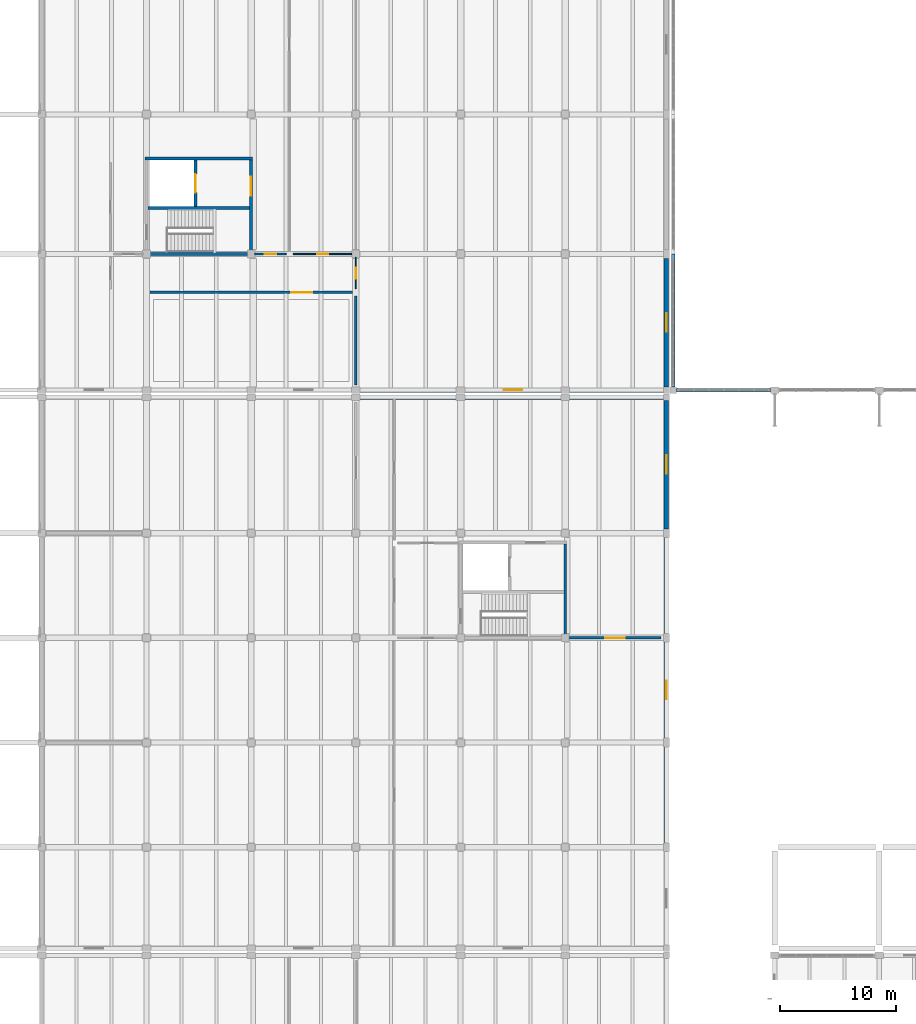
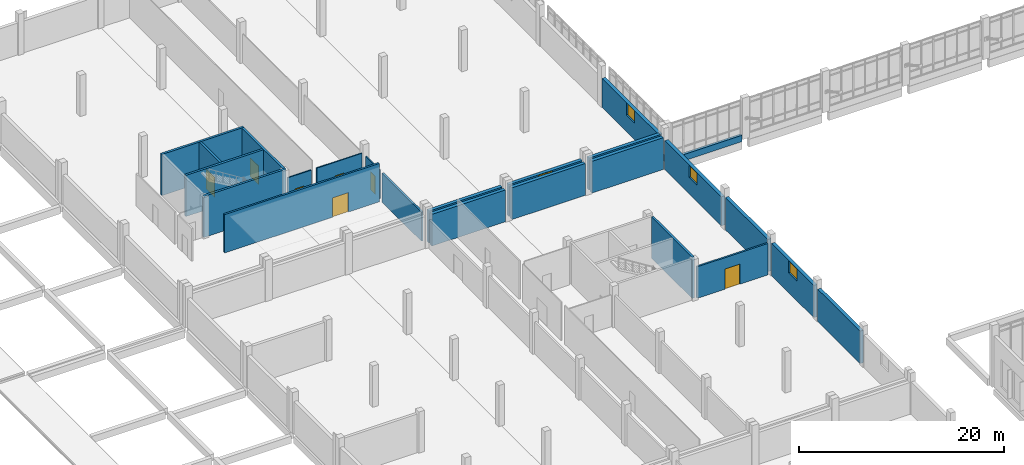
# One storey, part 81 of 110: 25 walls, 7 doors, 4 windows, 11 openings.
"""IFC4 building model written with IfcOpenShell, lengths in metres."""

from ifc_helpers import new_model, si_unit, direction, frame, frame_2d, origin, place, context, subcontext, project, spatial, rectangle, extrude, material, layer, layer_set, type_object, element, fill, save


model = new_model("IFC4")

# Units and contexts
model_context = context("Model", 3, precision=1e-05, world=origin(), true_north=direction((0.0, 1.0)))
body_context = subcontext(model_context, "Body", "Model", "MODEL_VIEW")
ifc_project = project(units=[si_unit("LENGTHUNIT", "METRE"), si_unit("AREAUNIT", "SQUARE_METRE"), si_unit("VOLUMEUNIT", "CUBIC_METRE"), si_unit("PLANEANGLEUNIT", "RADIAN"), si_unit("MASSUNIT", "GRAM", prefix="KILO")], contexts=[model_context])

# Site, building, storey
site_placement = place(None, origin())
site = spatial("IfcSite", under=ifc_project, at=site_placement, CompositionType="ELEMENT")
building_placement = place(site_placement, origin())
building = spatial("IfcBuilding", under=site, at=building_placement, Name="Zacnel Wholesale Market", CompositionType="ELEMENT")
storey_placement = place(building_placement, frame((0.0, 0.0, 6.300048828125)))
storey = spatial("IfcBuildingStorey", under=building, at=storey_placement, Name="L02", CompositionType="ELEMENT", Elevation=6.300048828125)

# Wall, opening, door
ifc_material_1 = material(Name="PIR insulated cold-store panel")
ifc_layer_1 = layer(ifc_material_1, 0.195068359375)
ifc_layer_set_1 = layer_set([ifc_layer_1], Name="PIR insulated cold-store panel")
wall_type_1 = type_object("IfcWallType", Name="WL-COLD-INT195", PredefinedType="STANDARD", material=ifc_layer_set_1)
wall_1_placement = place(storey_placement, frame((63.300048828125, 75.0, 0.0), z_axis=(0.0, 0.0, 1.0), x_axis=(1.0, 0.0, 0.0)))
wall_1 = element("IfcWall", 1, at=wall_1_placement, inside=storey, type_object=wall_type_1, Name="Interior partition L02-0074", PredefinedType="STANDARD", context=body_context, shape_type="SweptSolid", body=[
    extrude(rectangle(XDim=7.949951171875, YDim=0.195068359375, at=frame_2d((3.97509765625, 0.0))), origin(), (0.0, 0.0, 1.0), 3.75),
])
opening_1_placement = place(wall_1_placement, frame((3.125, 0.0, 0.0)))
opening_1 = element("IfcOpeningElement", 2, at=opening_1_placement, cuts=wall_1, Name="Opening CD-02", PredefinedType="OPENING", context=body_context, shape_type="SweptSolid", body=[
    extrude(rectangle(XDim=1.699951171875, YDim=2.39990234375, at=frame_2d((0.85009765625, 1.199951171875))), frame((0.0, 0.107421875, 0.0), z_axis=(0.0, -1.0, 0.0), x_axis=(1.0, 0.0, 0.0)), (0.0, 0.0, 1.0), 0.215087890625),
])
ifc_material_2 = material(Name="Galvanized steel", Category="steel")
door_type_1 = type_object("IfcDoorType", Name="DR-COLD-SLIDE-1700", OperationType="NOTDEFINED", PredefinedType="DOOR", material=ifc_material_2)
door_1_placement = place(opening_1_placement, origin())
door_1 = element("IfcDoor", 3, at=door_1_placement, inside=storey, type_object=door_type_1, Name="Interior door L02-0058", OperationType="SLIDING_TO_LEFT", OverallHeight=2.39990234375, OverallWidth=1.699951171875, PredefinedType="DOOR", context=body_context, shape_type="SweptSolid", body=[
    extrude(rectangle(XDim=1.699951171875, YDim=2.39990234375, at=frame_2d((0.85009765625, 1.199951171875))), frame((0.0, 0.02490234375, 0.0), z_axis=(0.0, -1.0, 0.0), x_axis=(1.0, 0.0, 0.0)), (0.0, 0.0, 1.0), 0.050048828125),
])
fill(opening_1, door_1)

ifc_material_3 = material(Name="PIR insulated cold-store panel")
ifc_layer_2 = layer(ifc_material_3, 0.2099609375)
ifc_layer_set_2 = layer_set([ifc_layer_2], Name="PIR insulated cold-store panel")
wall_type_2 = type_object("IfcWallType", Name="WL-COLD-INT210", PredefinedType="STANDARD", material=ifc_layer_set_2)
wall_2_placement = place(storey_placement, frame((27.300048828125, 104.699951171875, 0.0), z_axis=(0.0, 0.0, 1.0), x_axis=(1.0, 0.0, 0.0)))
wall_2 = element("IfcWall", 4, at=wall_2_placement, inside=storey, type_object=wall_type_2, Name="Interior partition L02-0075", PredefinedType="STANDARD", context=body_context, shape_type="SweptSolid", body=[
    extrude(rectangle(XDim=17.39990234375, YDim=0.2099609375, at=frame_2d((8.699951171875, 0.0))), origin(), (0.0, 0.0, 1.0), 4.56005859375),
])
opening_2_placement = place(wall_2_placement, frame((12.14990234375, 0.0, 0.0)))
opening_2 = element("IfcOpeningElement", 5, at=opening_2_placement, cuts=wall_2, Name="Opening FD-03", PredefinedType="OPENING", context=body_context, shape_type="SweptSolid", body=[
    extrude(rectangle(XDim=1.800048828125, YDim=2.300048828125, at=frame_2d((0.89990234375, 1.14990234375))), frame((0.0, 0.114990234375, 0.0), z_axis=(0.0, -1.0, 0.0), x_axis=(1.0, 0.0, 0.0)), (0.0, 0.0, 1.0), 0.22998046875),
])
ifc_material_4 = material(Name="Galvanized steel", Category="steel")
door_type_2 = type_object("IfcDoorType", Name="DR-FIRE-COMP-1800", OperationType="NOTDEFINED", PredefinedType="DOOR", material=ifc_material_4)
door_2_placement = place(opening_2_placement, origin())
door_2 = element("IfcDoor", 6, at=door_2_placement, inside=storey, type_object=door_type_2, Name="Interior door L02-0059", OperationType="SINGLE_SWING_RIGHT", OverallHeight=2.300048828125, OverallWidth=1.800048828125, PredefinedType="DOOR", context=body_context, shape_type="SweptSolid", body=[
    extrude(rectangle(XDim=1.800048828125, YDim=2.300048828125, at=frame_2d((0.89990234375, 1.14990234375))), frame((0.0, 0.02490234375, 0.0), z_axis=(0.0, -1.0, 0.0), x_axis=(1.0, 0.0, 0.0)), (0.0, 0.0, 1.0), 0.050048828125),
])
fill(opening_2, door_2)

# Walls
wall_3_placement = place(storey_placement, frame((45.0, 96.75, 0.0), z_axis=(0.0, 0.0, 1.0), x_axis=(0.0, 1.0, 0.0)))
element("IfcWall", 7, at=wall_3_placement, inside=storey, type_object=wall_type_2, Name="Interior partition L02-0081", PredefinedType="STANDARD", context=body_context, shape_type="SweptSolid", body=[
    extrude(rectangle(XDim=7.64990234375, YDim=0.2099609375, at=frame_2d((3.824951171875, 0.0))), origin(), (0.0, 0.0, 1.0), 3.449951171875),
])
ifc_material_5 = material(Name="Concrete C40/50", Category="concrete")
ifc_layer_3 = layer(ifc_material_5, 0.25)
ifc_layer_set_3 = layer_set([ifc_layer_3], Name="Concrete C40/50")
wall_type_3 = type_object("IfcWallType", Name="WL-CORE-SW250", PredefinedType="SOLIDWALL", material=ifc_layer_set_3)
wall_4_placement = place(storey_placement, frame((63.0, 75.125, 0.0), z_axis=(0.0, 0.0, 1.0), x_axis=(0.0, 1.0, 0.0)))
element("IfcWall", 8, at=wall_4_placement, inside=storey, type_object=wall_type_3, Name="Core C4 east shear wall L02", PredefinedType="SOLIDWALL", context=body_context, shape_type="SweptSolid", body=[
    extrude(rectangle(XDim=7.949951171875, YDim=0.25, at=frame_2d((3.97509765625, 0.0))), origin(), (0.0, 0.0, 1.0), 4.89990234375),
])
for number, where, z_axis, x_axis, name in (
    (9, (26.875, 108.0, 0.0), (0.0, 0.0, 1.0), (1.0, 0.0, 0.0), "Core C5 south shear wall L02"),
    (10, (26.875, 116.199951171875, 0.0), (0.0, 0.0, 1.0), (1.0, 0.0, 0.0), "Core C5 north shear wall L02"),
):
    element("IfcWall", number, at=place(storey_placement, frame(where, z_axis=z_axis, x_axis=x_axis)), inside=storey, type_object=wall_type_3, Name=name, PredefinedType="SOLIDWALL", context=body_context, shape_type="SweptSolid", body=[
        extrude(rectangle(XDim=9.25, YDim=0.25, at=frame_2d((4.625, 0.0))), origin(), (0.0, 0.0, 1.0), 4.89990234375),
    ])

# Wall, opening, door
wall_5_placement = place(storey_placement, frame((36.0, 108.125, 0.0), z_axis=(0.0, 0.0, 1.0), x_axis=(0.0, 1.0, 0.0)))
wall_5 = element("IfcWall", 11, at=wall_5_placement, inside=storey, type_object=wall_type_3, Name="Core C5 east shear wall L02", PredefinedType="SOLIDWALL", context=body_context, shape_type="SweptSolid", body=[
    extrude(rectangle(XDim=7.949951171875, YDim=0.25, at=frame_2d((3.97509765625, 0.0))), origin(), (0.0, 0.0, 1.0), 4.89990234375),
])
opening_3_placement = place(wall_5_placement, frame((4.89990234375, 0.0, 0.0)))
opening_3 = element("IfcOpeningElement", 12, at=opening_3_placement, cuts=wall_5, Name="Opening FD-02", PredefinedType="OPENING", context=body_context, shape_type="SweptSolid", body=[
    extrude(rectangle(XDim=1.60009765625, YDim=2.199951171875, at=frame_2d((0.800048828125, 1.10009765625))), frame((0.0, 0.135009765625, 0.0), z_axis=(0.0, -1.0, 0.0), x_axis=(1.0, 0.0, 0.0)), (0.0, 0.0, 1.0), 0.27001953125),
])
ifc_material_6 = material(Name="Galvanized steel", Category="steel")
door_type_3 = type_object("IfcDoorType", Name="DR-FIRE-LOBBY-1600", OperationType="NOTDEFINED", PredefinedType="DOOR", material=ifc_material_6)
door_3_placement = place(opening_3_placement, origin())
door_3 = element("IfcDoor", 13, at=door_3_placement, inside=storey, type_object=door_type_3, Name="Core lift lobby fire door C5 L02", OperationType="SINGLE_SWING_LEFT", OverallHeight=2.199951171875, OverallWidth=1.60009765625, PredefinedType="DOOR", context=body_context, shape_type="SweptSolid", body=[
    extrude(rectangle(XDim=1.60009765625, YDim=2.199951171875, at=frame_2d((0.800048828125, 1.10009765625))), frame((0.0, 0.02490234375, 0.0), z_axis=(0.0, -1.0, 0.0), x_axis=(1.0, 0.0, 0.0)), (0.0, 0.0, 1.0), 0.050048828125),
])
fill(opening_3, door_3)

# Wall
wall_6_placement = place(storey_placement, frame((27.125, 111.949951171875, 0.0), z_axis=(0.0, 0.0, 1.0), x_axis=(1.0, 0.0, 0.0)))
element("IfcWall", 14, at=wall_6_placement, inside=storey, type_object=wall_type_3, Name="Core C5 stair-shaft shear wall L02", PredefinedType="SOLIDWALL", context=body_context, shape_type="SweptSolid", body=[
    extrude(rectangle(XDim=8.75, YDim=0.25, at=frame_2d((4.375, 0.0))), origin(), (0.0, 0.0, 1.0), 4.89990234375),
])

# Wall, opening, door
wall_7_placement = place(storey_placement, frame((31.199951171875, 112.074951171875, 0.0), z_axis=(0.0, 0.0, 1.0), x_axis=(0.0, 1.0, 0.0)))
wall_7 = element("IfcWall", 15, at=wall_7_placement, inside=storey, type_object=wall_type_3, Name="Core C5 lift shaft front wall L02", PredefinedType="SOLIDWALL", context=body_context, shape_type="SweptSolid", body=[
    extrude(rectangle(XDim=4.0, YDim=0.25, at=frame_2d((2.0, 0.0))), origin(), (0.0, 0.0, 1.0), 4.89990234375),
])
opening_4_placement = place(wall_7_placement, frame((1.199951171875, 0.0, 0.0)))
opening_4 = element("IfcOpeningElement", 16, at=opening_4_placement, cuts=wall_7, Name="Opening LD-02", PredefinedType="OPENING", context=body_context, shape_type="SweptSolid", body=[
    extrude(rectangle(XDim=1.60009765625, YDim=2.39990234375, at=frame_2d((0.800048828125, 1.199951171875))), frame((0.0, 0.135009765625, 0.0), z_axis=(0.0, -1.0, 0.0), x_axis=(1.0, 0.0, 0.0)), (0.0, 0.0, 1.0), 0.27001953125),
])
ifc_material_7 = material(Name="Galvanized steel", Category="steel")
door_type_4 = type_object("IfcDoorType", Name="DR-LIFT-GOODS-1600", OperationType="NOTDEFINED", PredefinedType="DOOR", material=ifc_material_7)
door_4_placement = place(opening_4_placement, origin())
door_4 = element("IfcDoor", 17, at=door_4_placement, inside=storey, type_object=door_type_4, Name="Lift landing door LG-03 L02", OperationType="SLIDING_TO_LEFT", OverallHeight=2.39990234375, OverallWidth=1.60009765625, PredefinedType="DOOR", context=body_context, shape_type="SweptSolid", body=[
    extrude(rectangle(XDim=1.60009765625, YDim=2.39990234375, at=frame_2d((0.800048828125, 1.199951171875))), frame((0.0, 0.02490234375, 0.0), z_axis=(0.0, -1.0, 0.0), x_axis=(1.0, 0.0, 0.0)), (0.0, 0.0, 1.0), 0.050048828125),
])
fill(opening_4, door_4)

# Walls
ifc_material_8 = material(Name="Precast concrete C40/50 (insulated sandwich panel)", Category="concrete")
ifc_layer_4 = layer(ifc_material_8, 0.3798828125)
ifc_layer_set_4 = layer_set([ifc_layer_4], Name="Precast concrete C40/50 (insulated sandwich panel)")
wall_type_4 = type_object("IfcWallType", Name="WL-EXT-COLD-380", PredefinedType="SOLIDWALL", material=ifc_layer_set_4)
for number, where, z_axis, x_axis, name in (
    (18, (45.375, 95.699951171875, 0.0), (0.0, 0.0, 1.0), (1.0, 0.0, 0.0), "Exterior wall L02-0201"),
    (19, (54.375, 95.699951171875, 0.0), (0.0, 0.0, 1.0), (1.0, 0.0, 0.0), "Exterior wall L02-0202"),
):
    element("IfcWall", number, at=place(storey_placement, frame(where, z_axis=z_axis, x_axis=x_axis)), inside=storey, type_object=wall_type_4, Name=name, PredefinedType="SOLIDWALL", context=body_context, shape_type="SweptSolid", body=[
        extrude(rectangle(XDim=8.25, YDim=0.3798828125, at=frame_2d((4.125, 0.0))), origin(), (0.0, 0.0, 1.0), 3.780029296875),
    ])
wall_8_placement = place(storey_placement, frame((63.375, 95.699951171875, 0.0), z_axis=(0.0, 0.0, 1.0), x_axis=(1.0, 0.0, 0.0)))
element("IfcWall", 20, at=wall_8_placement, inside=storey, type_object=wall_type_4, Name="Exterior wall L02-0203", PredefinedType="SOLIDWALL", context=body_context, shape_type="SweptSolid", body=[
    extrude(rectangle(XDim=8.050048828125, YDim=0.3798828125, at=frame_2d((4.02490234375, 0.0))), origin(), (0.0, 0.0, 1.0), 3.780029296875),
])
wall_9_placement = place(storey_placement, frame((71.699951171875, 57.375, 0.0), z_axis=(0.0, 0.0, 1.0), x_axis=(0.0, 1.0, 0.0)))
element("IfcWall", 21, at=wall_9_placement, inside=storey, type_object=wall_type_4, Name="Exterior wall L02-0210", PredefinedType="SOLIDWALL", context=body_context, shape_type="SweptSolid", body=[
    extrude(rectangle(XDim=8.25, YDim=0.3798828125, at=frame_2d((4.125, 0.0))), origin(), (0.0, 0.0, 1.0), 3.849853515625),
])

# Wall, opening, window
wall_10_placement = place(storey_placement, frame((71.699951171875, 66.375, 0.0), z_axis=(0.0, 0.0, 1.0), x_axis=(0.0, 1.0, 0.0)))
wall_10 = element("IfcWall", 22, at=wall_10_placement, inside=storey, type_object=wall_type_4, Name="Exterior wall L02-0211", PredefinedType="SOLIDWALL", context=body_context, shape_type="SweptSolid", body=[
    extrude(rectangle(XDim=8.25, YDim=0.3798828125, at=frame_2d((4.125, 0.0))), origin(), (0.0, 0.0, 1.0), 3.849853515625),
])
opening_5_placement = place(wall_10_placement, frame((3.324951171875, 0.0, 2.360107421875)))
opening_5 = element("IfcOpeningElement", 23, at=opening_5_placement, cuts=wall_10, Name="Opening W-06", PredefinedType="OPENING", context=body_context, shape_type="SweptSolid", body=[
    extrude(rectangle(XDim=1.60009765625, YDim=1.449951171875, at=frame_2d((0.800048828125, 0.72509765625))), frame((0.0, 0.199951171875, 0.0), z_axis=(0.0, -1.0, 0.0), x_axis=(1.0, 0.0, 0.0)), (0.0, 0.0, 1.0), 0.39990234375),
])
ifc_material_9 = material(Name="Laminated hurricane-impact low-E insulated glass", Category="glass")
window_type = type_object("IfcWindowType", Name="WIN-HIG-1600X1450", PartitioningType="DOUBLE_PANEL_HORIZONTAL", PredefinedType="WINDOW", material=ifc_material_9)
window_1_placement = place(opening_5_placement, origin())
window_1 = element("IfcWindow", 24, at=window_1_placement, inside=storey, type_object=window_type, Name="Window L02-0199", OverallHeight=1.449951171875, OverallWidth=1.60009765625, PartitioningType="DOUBLE_PANEL_HORIZONTAL", PredefinedType="WINDOW", context=body_context, shape_type="SweptSolid", body=[
    extrude(rectangle(XDim=1.60009765625, YDim=1.449951171875, at=frame_2d((0.800048828125, 0.72509765625))), frame((0.0, 0.030029296875, 0.0), z_axis=(0.0, -1.0, 0.0), x_axis=(1.0, 0.0, 0.0)), (0.0, 0.0, 1.0), 0.06005859375),
])
fill(opening_5, window_1)

# Wall
wall_11_placement = place(storey_placement, frame((71.699951171875, 75.375, 0.0), z_axis=(0.0, 0.0, 1.0), x_axis=(0.0, 1.0, 0.0)))
element("IfcWall", 25, at=wall_11_placement, inside=storey, type_object=wall_type_4, Name="Exterior wall L02-0212", PredefinedType="SOLIDWALL", context=body_context, shape_type="SweptSolid", body=[
    extrude(rectangle(XDim=8.25, YDim=0.3798828125, at=frame_2d((4.125, 0.0))), origin(), (0.0, 0.0, 1.0), 3.849853515625),
])

# Wall, opening, window
wall_12_placement = place(storey_placement, frame((71.699951171875, 84.375, 0.0), z_axis=(0.0, 0.0, 1.0), x_axis=(0.0, 1.0, 0.0)))
wall_12 = element("IfcWall", 26, at=wall_12_placement, inside=storey, type_object=wall_type_4, Name="Exterior wall L02-0213", PredefinedType="SOLIDWALL", context=body_context, shape_type="SweptSolid", body=[
    extrude(rectangle(XDim=11.050048828125, YDim=0.3798828125, at=frame_2d((5.52490234375, 0.0))), origin(), (0.0, 0.0, 1.0), 3.449951171875),
])
opening_6_placement = place(wall_12_placement, frame((4.72509765625, 0.0, 1.9599609375)))
opening_6 = element("IfcOpeningElement", 27, at=opening_6_placement, cuts=wall_12, Name="Opening W-06", PredefinedType="OPENING", context=body_context, shape_type="SweptSolid", body=[
    extrude(rectangle(XDim=1.60009765625, YDim=1.449951171875, at=frame_2d((0.800048828125, 0.72509765625))), frame((0.0, 0.199951171875, 0.0), z_axis=(0.0, -1.0, 0.0), x_axis=(1.0, 0.0, 0.0)), (0.0, 0.0, 1.0), 0.39990234375),
])
window_2_placement = place(opening_6_placement, origin())
window_2 = element("IfcWindow", 28, at=window_2_placement, inside=storey, type_object=window_type, Name="Window L02-0200", OverallHeight=1.449951171875, OverallWidth=1.60009765625, PartitioningType="DOUBLE_PANEL_HORIZONTAL", PredefinedType="WINDOW", context=body_context, shape_type="SweptSolid", body=[
    extrude(rectangle(XDim=1.60009765625, YDim=1.449951171875, at=frame_2d((0.800048828125, 0.72509765625))), frame((0.0, 0.030029296875, 0.0), z_axis=(0.0, -1.0, 0.0), x_axis=(1.0, 0.0, 0.0)), (0.0, 0.0, 1.0), 0.06005859375),
])
fill(opening_6, window_2)

# Wall
wall_13_placement = place(storey_placement, frame((45.375, 96.300048828125, 0.0), z_axis=(0.0, 0.0, 1.0), x_axis=(1.0, 0.0, 0.0)))
element("IfcWall", 29, at=wall_13_placement, inside=storey, type_object=wall_type_4, Name="Exterior wall L02-0217", PredefinedType="SOLIDWALL", context=body_context, shape_type="SweptSolid", body=[
    extrude(rectangle(XDim=8.25, YDim=0.3798828125, at=frame_2d((4.125, 0.0))), origin(), (0.0, 0.0, 1.0), 3.780029296875),
])

# Wall, opening, window
wall_14_placement = place(storey_placement, frame((54.375, 96.300048828125, 0.0), z_axis=(0.0, 0.0, 1.0), x_axis=(1.0, 0.0, 0.0)))
wall_14 = element("IfcWall", 30, at=wall_14_placement, inside=storey, type_object=wall_type_4, Name="Exterior wall L02-0218", PredefinedType="SOLIDWALL", context=body_context, shape_type="SweptSolid", body=[
    extrude(rectangle(XDim=8.25, YDim=0.3798828125, at=frame_2d((4.125, 0.0))), origin(), (0.0, 0.0, 1.0), 3.780029296875),
])
opening_7_placement = place(wall_14_placement, frame((3.324951171875, 0.0, 2.2900390625)))
opening_7 = element("IfcOpeningElement", 31, at=opening_7_placement, cuts=wall_14, Name="Opening W-06", PredefinedType="OPENING", context=body_context, shape_type="SweptSolid", body=[
    extrude(rectangle(XDim=1.60009765625, YDim=1.449951171875, at=frame_2d((0.800048828125, 0.72509765625))), frame((0.0, 0.199951171875, 0.0), z_axis=(0.0, -1.0, 0.0), x_axis=(1.0, 0.0, 0.0)), (0.0, 0.0, 1.0), 0.39990234375),
])
window_3_placement = place(opening_7_placement, origin())
window_3 = element("IfcWindow", 32, at=window_3_placement, inside=storey, type_object=window_type, Name="Window L02-0203", OverallHeight=1.449951171875, OverallWidth=1.60009765625, PartitioningType="DOUBLE_PANEL_HORIZONTAL", PredefinedType="WINDOW", context=body_context, shape_type="SweptSolid", body=[
    extrude(rectangle(XDim=1.60009765625, YDim=1.449951171875, at=frame_2d((0.800048828125, 0.72509765625))), frame((0.0, 0.030029296875, 0.0), z_axis=(0.0, -1.0, 0.0), x_axis=(1.0, 0.0, 0.0)), (0.0, 0.0, 1.0), 0.06005859375),
])
fill(opening_7, window_3)

# Wall
wall_15_placement = place(storey_placement, frame((63.375, 96.300048828125, 0.0), z_axis=(0.0, 0.0, 1.0), x_axis=(1.0, 0.0, 0.0)))
element("IfcWall", 33, at=wall_15_placement, inside=storey, type_object=wall_type_4, Name="Exterior wall L02-0219", PredefinedType="SOLIDWALL", context=body_context, shape_type="SweptSolid", body=[
    extrude(rectangle(XDim=8.050048828125, YDim=0.3798828125, at=frame_2d((4.02490234375, 0.0))), origin(), (0.0, 0.0, 1.0), 3.780029296875),
])

# Wall, opening, window
wall_16_placement = place(storey_placement, frame((71.699951171875, 96.574951171875, 0.0), z_axis=(0.0, 0.0, 1.0), x_axis=(0.0, 1.0, 0.0)))
wall_16 = element("IfcWall", 34, at=wall_16_placement, inside=storey, type_object=wall_type_4, Name="Exterior wall L02-0230", PredefinedType="SOLIDWALL", context=body_context, shape_type="SweptSolid", body=[
    extrude(rectangle(XDim=11.050048828125, YDim=0.3798828125, at=frame_2d((5.52490234375, 0.0))), origin(), (0.0, 0.0, 1.0), 3.449951171875),
])
opening_8_placement = place(wall_16_placement, frame((4.72509765625, 0.0, 1.9599609375)))
opening_8 = element("IfcOpeningElement", 35, at=opening_8_placement, cuts=wall_16, Name="Opening W-06", PredefinedType="OPENING", context=body_context, shape_type="SweptSolid", body=[
    extrude(rectangle(XDim=1.60009765625, YDim=1.449951171875, at=frame_2d((0.800048828125, 0.72509765625))), frame((0.0, 0.199951171875, 0.0), z_axis=(0.0, -1.0, 0.0), x_axis=(1.0, 0.0, 0.0)), (0.0, 0.0, 1.0), 0.39990234375),
])
window_4_placement = place(opening_8_placement, origin())
window_4 = element("IfcWindow", 36, at=window_4_placement, inside=storey, type_object=window_type, Name="Window L02-0204", OverallHeight=1.449951171875, OverallWidth=1.60009765625, PartitioningType="DOUBLE_PANEL_HORIZONTAL", PredefinedType="WINDOW", context=body_context, shape_type="SweptSolid", body=[
    extrude(rectangle(XDim=1.60009765625, YDim=1.449951171875, at=frame_2d((0.800048828125, 0.72509765625))), frame((0.0, 0.030029296875, 0.0), z_axis=(0.0, -1.0, 0.0), x_axis=(1.0, 0.0, 0.0)), (0.0, 0.0, 1.0), 0.06005859375),
])
fill(opening_8, window_4)

# Walls
ifc_material_10 = material(Name="Precast concrete C40/50 (Cancun limestone aggregate)", Category="masonry")
ifc_layer_5 = layer(ifc_material_10, 0.300048828125)
ifc_layer_set_5 = layer_set([ifc_layer_5], Name="Precast concrete C40/50 (Cancun limestone aggregate)")
wall_type_5 = type_object("IfcWallType", Name="WL-EXT-LIME-300", PredefinedType="SOLIDWALL", material=ifc_layer_set_5)
wall_17_placement = place(storey_placement, frame((72.574951171875, 96.300048828125, -0.300048828125), z_axis=(0.0, 0.0, 1.0), x_axis=(1.0, 0.0, 0.0)))
element("IfcWall", 37, at=wall_17_placement, inside=storey, type_object=wall_type_5, Name="Curtain-wall limestone plinth L02-0020", PredefinedType="SOLIDWALL", context=body_context, shape_type="SweptSolid", body=[
    extrude(rectangle(XDim=8.050048828125, YDim=0.300048828125, at=frame_2d((4.02490234375, 0.0))), origin(), (0.0, 0.0, 1.0), 0.75),
])
wall_18_placement = place(storey_placement, frame((72.300048828125, 96.574951171875, 0.0), z_axis=(0.0, 0.0, 1.0), x_axis=(0.0, 1.0, 0.0)))
element("IfcWall", 38, at=wall_18_placement, inside=storey, type_object=wall_type_5, Name="Curtain-wall limestone plinth L02-0029", PredefinedType="SOLIDWALL", context=body_context, shape_type="SweptSolid", body=[
    extrude(rectangle(XDim=11.425048828125, YDim=0.300048828125, at=frame_2d((5.71240234375, 0.0))), origin(), (0.0, 0.0, 1.0), 0.449951171875),
])

# Wall, opening, door
ifc_material_11 = material(Name="Moisture-resistant gypsum board partition")
ifc_layer_6 = layer(ifc_material_11, 0.10009765625)
ifc_layer_set_6 = layer_set([ifc_layer_6], Name="Moisture-resistant gypsum board partition")
wall_type_6 = type_object("IfcWallType", Name="WL-PART-GYP100", PredefinedType="PARTITIONING", material=ifc_layer_set_6)
wall_19_placement = place(storey_placement, frame((45.0, 105.0, 0.0), z_axis=(0.0, 0.0, 1.0), x_axis=(0.0, 1.0, 0.0)))
wall_19 = element("IfcWall", 39, at=wall_19_placement, inside=storey, type_object=wall_type_6, Name="Interior partition L02-0080", PredefinedType="PARTITIONING", context=body_context, shape_type="SweptSolid", body=[
    extrude(rectangle(XDim=2.699951171875, YDim=0.10009765625, at=frame_2d((1.35009765625, 0.0))), origin(), (0.0, 0.0, 1.0), 3.449951171875),
])
opening_9_placement = place(wall_19_placement, frame((0.8798828125, 0.0, 0.0)))
opening_9 = element("IfcOpeningElement", 40, at=opening_9_placement, cuts=wall_19, Name="Opening ID-11", PredefinedType="OPENING", context=body_context, shape_type="SweptSolid", body=[
    extrude(rectangle(XDim=0.93994140625, YDim=2.139892578125, at=frame_2d((0.469970703125, 1.06982421875))), frame((0.0, 0.06005859375, 0.0), z_axis=(0.0, -1.0, 0.0), x_axis=(1.0, 0.0, 0.0)), (0.0, 0.0, 1.0), 0.1201171875),
])
ifc_material_12 = material(Name="Solid-core tropical hardwood door", Category="wood")
door_type_5 = type_object("IfcDoorType", Name="DR-OFF-SGL-940", OperationType="NOTDEFINED", PredefinedType="DOOR", material=ifc_material_12)
door_5_placement = place(opening_9_placement, origin())
door_5 = element("IfcDoor", 41, at=door_5_placement, inside=storey, type_object=door_type_5, Name="Interior door L02-0064", OperationType="SINGLE_SWING_LEFT", OverallHeight=2.139892578125, OverallWidth=0.93994140625, PredefinedType="DOOR", context=body_context, shape_type="SweptSolid", body=[
    extrude(rectangle(XDim=0.93994140625, YDim=2.139892578125, at=frame_2d((0.469970703125, 1.06982421875))), frame((0.0, 0.02490234375, 0.0), z_axis=(0.0, -1.0, 0.0), x_axis=(1.0, 0.0, 0.0)), (0.0, 0.0, 1.0), 0.050048828125),
])
fill(opening_9, door_5)

ifc_material_13 = material(Name="Moisture-resistant gypsum board partition")
ifc_layer_7 = layer(ifc_material_13, 0.125)
ifc_layer_set_7 = layer_set([ifc_layer_7], Name="Moisture-resistant gypsum board partition")
wall_type_7 = type_object("IfcWallType", Name="WL-PART-GYP125", PredefinedType="PARTITIONING", material=ifc_layer_set_7)
wall_20_placement = place(storey_placement, frame((39.60009765625, 108.0, 0.0), z_axis=(0.0, 0.0, 1.0), x_axis=(1.0, 0.0, 0.0)))
wall_20 = element("IfcWall", 42, at=wall_20_placement, inside=storey, type_object=wall_type_7, Name="Interior partition L02-0078", PredefinedType="PARTITIONING", context=body_context, shape_type="SweptSolid", body=[
    extrude(rectangle(XDim=5.099853515625, YDim=0.125, at=frame_2d((2.5498046875, 0.0))), origin(), (0.0, 0.0, 1.0), 3.75),
])
opening_10_placement = place(wall_20_placement, frame((2.06005859375, 0.0, 0.0)))
opening_10 = element("IfcOpeningElement", 43, at=opening_10_placement, cuts=wall_20, Name="Opening ID-04", PredefinedType="OPENING", context=body_context, shape_type="SweptSolid", body=[
    extrude(rectangle(XDim=0.97998046875, YDim=2.1201171875, at=frame_2d((0.489990234375, 1.06005859375))), frame((0.0, 0.072509765625, 0.0), z_axis=(0.0, -1.0, 0.0), x_axis=(1.0, 0.0, 0.0)), (0.0, 0.0, 1.0), 0.14501953125),
])
ifc_material_14 = material(Name="Solid-core tropical hardwood door", Category="wood")
door_type_6 = type_object("IfcDoorType", Name="DR-OFF-SGL-980", OperationType="NOTDEFINED", PredefinedType="DOOR", material=ifc_material_14)
door_6_placement = place(opening_10_placement, origin())
door_6 = element("IfcDoor", 44, at=door_6_placement, inside=storey, type_object=door_type_6, Name="Interior door L02-0062", OperationType="SINGLE_SWING_LEFT", OverallHeight=2.1201171875, OverallWidth=0.97998046875, PredefinedType="DOOR", context=body_context, shape_type="SweptSolid", body=[
    extrude(rectangle(XDim=0.97998046875, YDim=2.1201171875, at=frame_2d((0.489990234375, 1.06005859375))), frame((0.0, 0.02490234375, 0.0), z_axis=(0.0, -1.0, 0.0), x_axis=(1.0, 0.0, 0.0)), (0.0, 0.0, 1.0), 0.050048828125),
])
fill(opening_10, door_6)

ifc_material_15 = material(Name="Moisture-resistant gypsum board partition")
ifc_layer_8 = layer(ifc_material_15, 0.139892578125)
ifc_layer_set_8 = layer_set([ifc_layer_8], Name="Moisture-resistant gypsum board partition")
wall_type_8 = type_object("IfcWallType", Name="WL-PART-GYP140", PredefinedType="PARTITIONING", material=ifc_layer_set_8)
wall_21_placement = place(storey_placement, frame((36.300048828125, 108.0, 0.0), z_axis=(0.0, 0.0, 1.0), x_axis=(1.0, 0.0, 0.0)))
wall_21 = element("IfcWall", 45, at=wall_21_placement, inside=storey, type_object=wall_type_8, Name="Interior partition L02-0077", PredefinedType="PARTITIONING", context=body_context, shape_type="SweptSolid", body=[
    extrude(rectangle(XDim=2.699951171875, YDim=0.139892578125, at=frame_2d((1.35009765625, 0.0))), origin(), (0.0, 0.0, 1.0), 3.75),
])
opening_11_placement = place(wall_21_placement, frame((0.85009765625, 0.0, 0.0)))
opening_11 = element("IfcOpeningElement", 46, at=opening_11_placement, cuts=wall_21, Name="Opening ID-03", PredefinedType="OPENING", context=body_context, shape_type="SweptSolid", body=[
    extrude(rectangle(XDim=1.0, YDim=2.14990234375, at=frame_2d((0.5, 1.074951171875))), frame((0.0, 0.079833984375, 0.0), z_axis=(0.0, -1.0, 0.0), x_axis=(1.0, 0.0, 0.0)), (0.0, 0.0, 1.0), 0.159912109375),
])
ifc_material_16 = material(Name="Solid-core tropical hardwood door", Category="wood")
door_type_7 = type_object("IfcDoorType", Name="DR-OFF-SGL-1000", OperationType="NOTDEFINED", PredefinedType="DOOR", material=ifc_material_16)
door_7_placement = place(opening_11_placement, origin())
door_7 = element("IfcDoor", 47, at=door_7_placement, inside=storey, type_object=door_type_7, Name="Interior door L02-0061", OperationType="SINGLE_SWING_RIGHT", OverallHeight=2.14990234375, OverallWidth=1.0, PredefinedType="DOOR", context=body_context, shape_type="SweptSolid", body=[
    extrude(rectangle(XDim=1.0, YDim=2.14990234375, at=frame_2d((0.5, 1.074951171875))), frame((0.0, 0.02490234375, 0.0), z_axis=(0.0, -1.0, 0.0), x_axis=(1.0, 0.0, 0.0)), (0.0, 0.0, 1.0), 0.050048828125),
])
fill(opening_11, door_7)

save(model, "model.ifc")
